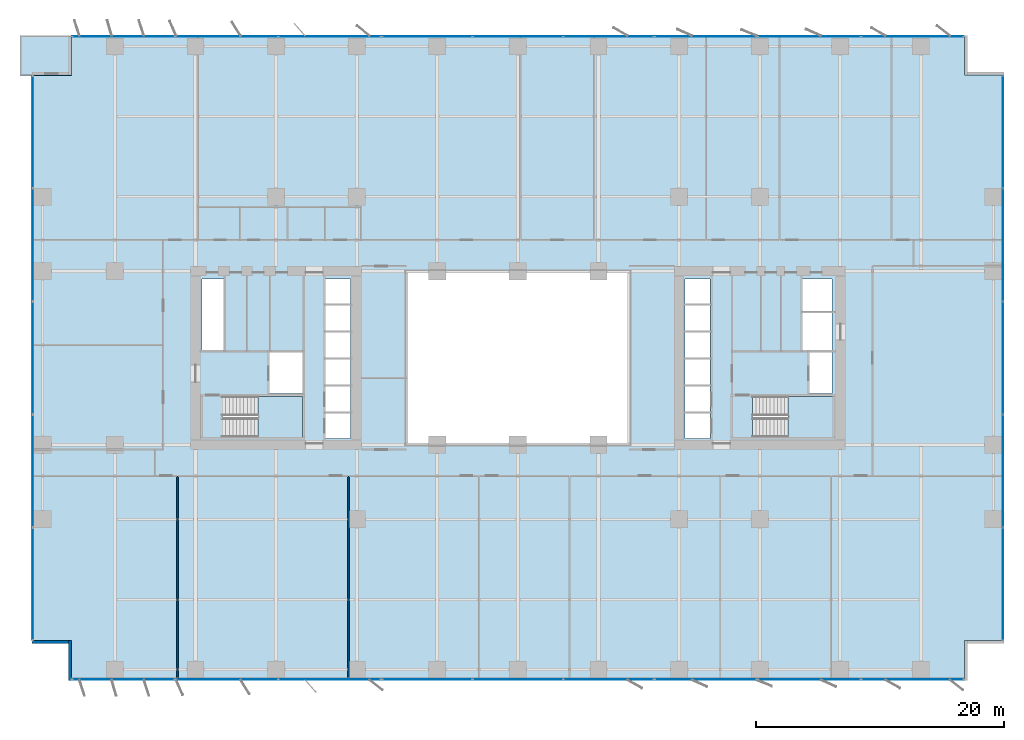
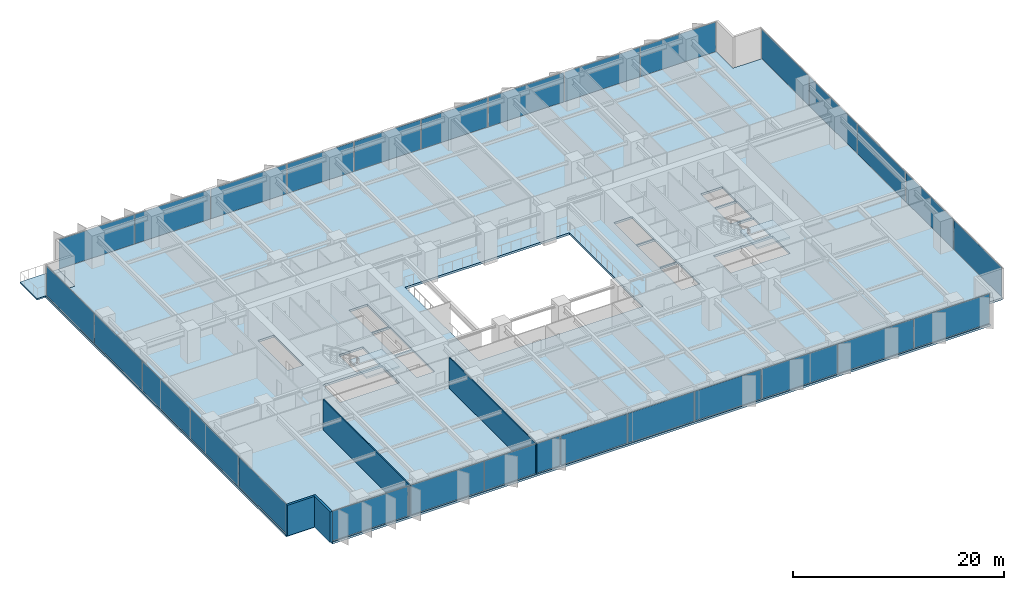
# One storey, part 12 of 20: 28 plates, 4 slabs, 4 walls, 10 elements without a shape of their own.
"""IFC4 building model written with IfcOpenShell, lengths in metres."""

from ifc_helpers import new_model, si_unit, direction, frame, frame_2d, origin, origin_2d, place, context, subcontext, project, spatial, polyline, rectangle, outline, extrude, material, layer, layer_set, type_object, element, aggregate, save


model = new_model("IFC4")

# Units and contexts
model_context = context("Model", 3, precision=1e-05, world=origin(), true_north=direction((0.0, 1.0)))
body_context = subcontext(model_context, "Body", "Model", "MODEL_VIEW")
ifc_project = project(units=[si_unit("LENGTHUNIT", "METRE"), si_unit("AREAUNIT", "SQUARE_METRE"), si_unit("VOLUMEUNIT", "CUBIC_METRE"), si_unit("PLANEANGLEUNIT", "RADIAN"), si_unit("MASSUNIT", "GRAM", prefix="KILO")], contexts=[model_context])

# Site, building, storey
site_placement = place(None, origin())
site = spatial("IfcSite", under=ifc_project, at=site_placement, CompositionType="ELEMENT")
building_placement = place(site_placement, origin())
building = spatial("IfcBuilding", under=site, at=building_placement, Name="Putna Gate Headquarters", CompositionType="ELEMENT")
storey_placement = place(building_placement, frame((0.0, 0.0, 73.39990234375)))
storey = spatial("IfcBuildingStorey", under=building, at=storey_placement, Name="L17", CompositionType="ELEMENT", Elevation=73.39990234375)

# Stair, slab
ifc_material_1 = material(Name="Concrete C40/50", Category="concrete")
stair_type_1 = type_object("IfcStairType", Name="STAIR-ST1", PredefinedType="HALF_TURN_STAIR", material=ifc_material_1)
stair_1_placement = place(storey_placement, origin())
stair_1 = element("IfcStair", 1, at=stair_1_placement, inside=storey, type_object=stair_type_1, Name="L17 West Core Exit Stair ST1", PredefinedType="HALF_TURN_STAIR")
ifc_layer_1 = layer(ifc_material_1, 0.199951171875)
ifc_layer_set_1 = layer_set([ifc_layer_1], Name="Concrete C40/50")
slab_type_1 = type_object("IfcSlabType", Name="LANDING-ST1", PredefinedType="LANDING", material=ifc_layer_set_1)
slab_1_placement = place(storey_placement, frame((0.0, 0.0, 1.7001953125)))
slab_1 = element("IfcSlab", 2, at=slab_1_placement, type_object=slab_type_1, Name="ST1 landing 1", PredefinedType="LANDING", context=body_context, shape_type="SweptSolid", body=[
    extrude(outline(polyline([(18.050048828125, 19.60009765625), (21.64990234375, 19.60009765625), (21.64990234375, 22.89990234375), (18.050048828125, 22.89990234375), (18.050048828125, 19.60009765625)])), origin(), (0.0, 0.0, 1.0), 0.199951171875),
])
aggregate(stair_1, [slab_1])

stair_type_2 = type_object("IfcStairType", Name="STAIR-ST2", PredefinedType="HALF_TURN_STAIR", material=ifc_material_1)
stair_2_placement = place(storey_placement, origin())
stair_2 = element("IfcStair", 3, at=stair_2_placement, inside=storey, type_object=stair_type_2, Name="L17 East Core Exit Stair ST2", PredefinedType="HALF_TURN_STAIR")
ifc_layer_2 = layer(ifc_material_1, 0.199951171875)
ifc_layer_set_2 = layer_set([ifc_layer_2], Name="Concrete C40/50")
slab_type_2 = type_object("IfcSlabType", Name="LANDING-ST2", PredefinedType="LANDING", material=ifc_layer_set_2)
slab_2_placement = place(storey_placement, frame((0.0, 0.0, 1.7001953125)))
slab_2 = element("IfcSlab", 4, at=slab_2_placement, type_object=slab_type_2, Name="ST2 landing 1", PredefinedType="LANDING", context=body_context, shape_type="SweptSolid", body=[
    extrude(outline(polyline([(60.800048828125, 19.60009765625), (64.39990234375, 19.60009765625), (64.39990234375, 22.89990234375), (60.800048828125, 22.89990234375), (60.800048828125, 19.60009765625)])), origin(), (0.0, 0.0, 1.0), 0.199951171875),
])
aggregate(stair_2, [slab_2])

# Curtain wall, plates
ifc_material_2 = material(Name="Anodised bronze aluminium curtain wall", Category="aluminium")
ifc_layer_3 = layer(ifc_material_2, 0.179931640625)
ifc_layer_set_3 = layer_set([ifc_layer_3], Name="Anodised bronze aluminium curtain wall")
curtain_wall_type_1 = type_object("IfcCurtainWallType", Name="CW-SYS-Z1", PredefinedType="USERDEFINED", material=ifc_layer_set_3)
curtain_wall_1_placement = place(storey_placement, origin())
curtain_wall_1 = element("IfcCurtainWall", 5, at=curtain_wall_1_placement, inside=storey, type_object=curtain_wall_type_1, Name="L17 South West Curtain Wall", ObjectType="STICK CURTAIN WALL", PredefinedType="USERDEFINED")
ifc_material_3 = material(Name="Solar-control triple low-E glass", Category="glass")
ifc_layer_4 = layer(ifc_material_3, 0.031982421875)
ifc_layer_set_4 = layer_set([ifc_layer_4], Name="Solar-control triple low-E glass")
plate_type_1 = type_object("IfcPlateType", Name="PAN-CWP-1", PredefinedType="CURTAIN_PANEL", material=ifc_layer_set_4)
plate_1_placement = place(storey_placement, frame((7.18408203125, 0.080078125, 0.065185546875), z_axis=(0.0, 0.0, 1.0), x_axis=(1.0, 0.0, 0.0)))
plate_1 = element("IfcPlate", 6, at=plate_1_placement, type_object=plate_type_1, Name="CWS-1 panel 1.1", PredefinedType="CURTAIN_PANEL", context=body_context, shape_type="SweptSolid", body=[
    extrude(rectangle(XDim=8.228271484375, YDim=0.031982421875, at=origin_2d()), origin(), (0.0, 0.0, 1.0), 3.419921875),
])
plate_2_placement = place(storey_placement, frame((15.5, 0.080078125, 0.065185546875), z_axis=(0.0, 0.0, 1.0), x_axis=(1.0, 0.0, 0.0)))
plate_2 = element("IfcPlate", 7, at=plate_2_placement, type_object=plate_type_1, Name="CWS-1 panel 2.1", PredefinedType="CURTAIN_PANEL", context=body_context, shape_type="SweptSolid", body=[
    extrude(rectangle(XDim=8.263427734375, YDim=0.031982421875, at=origin_2d()), origin(), (0.0, 0.0, 1.0), 3.419921875),
])
plate_3_placement = place(storey_placement, frame((23.81591796875, 0.080078125, 0.065185546875), z_axis=(0.0, 0.0, 1.0), x_axis=(1.0, 0.0, 0.0)))
plate_3 = element("IfcPlate", 8, at=plate_3_placement, type_object=plate_type_1, Name="CWS-1 panel 3.1", PredefinedType="CURTAIN_PANEL", context=body_context, shape_type="SweptSolid", body=[
    extrude(rectangle(XDim=8.228271484375, YDim=0.031982421875, at=origin_2d()), origin(), (0.0, 0.0, 1.0), 3.419921875),
])
aggregate(curtain_wall_1, [plate_1, plate_2, plate_3])

curtain_wall_2_placement = place(storey_placement, origin())
curtain_wall_2 = element("IfcCurtainWall", 9, at=curtain_wall_2_placement, inside=storey, type_object=curtain_wall_type_1, Name="L17 South East Curtain Wall", ObjectType="STICK CURTAIN WALL", PredefinedType="USERDEFINED")
plate_4_placement = place(storey_placement, frame((54.18408203125, 0.080078125, 0.065185546875), z_axis=(0.0, 0.0, 1.0), x_axis=(1.0, 0.0, 0.0)))
plate_4 = element("IfcPlate", 10, at=plate_4_placement, type_object=plate_type_1, Name="CWS-1 panel 1.1", PredefinedType="CURTAIN_PANEL", context=body_context, shape_type="SweptSolid", body=[
    extrude(rectangle(XDim=8.228271484375, YDim=0.031982421875, at=origin_2d()), origin(), (0.0, 0.0, 1.0), 3.419921875),
])
plate_5_placement = place(storey_placement, frame((62.5, 0.080078125, 0.065185546875), z_axis=(0.0, 0.0, 1.0), x_axis=(1.0, 0.0, 0.0)))
plate_5 = element("IfcPlate", 11, at=plate_5_placement, type_object=plate_type_1, Name="CWS-1 panel 2.1", PredefinedType="CURTAIN_PANEL", context=body_context, shape_type="SweptSolid", body=[
    extrude(rectangle(XDim=8.263427734375, YDim=0.031982421875, at=origin_2d()), origin(), (0.0, 0.0, 1.0), 3.419921875),
])
plate_6_placement = place(storey_placement, frame((70.81591796875, 0.080078125, 0.065185546875), z_axis=(0.0, 0.0, 1.0), x_axis=(1.0, 0.0, 0.0)))
plate_6 = element("IfcPlate", 12, at=plate_6_placement, type_object=plate_type_1, Name="CWS-1 panel 3.1", PredefinedType="CURTAIN_PANEL", context=body_context, shape_type="SweptSolid", body=[
    extrude(rectangle(XDim=8.228271484375, YDim=0.031982421875, at=origin_2d()), origin(), (0.0, 0.0, 1.0), 3.419921875),
])
aggregate(curtain_wall_2, [plate_4, plate_5, plate_6])

curtain_wall_3_placement = place(storey_placement, origin())
curtain_wall_3 = element("IfcCurtainWall", 13, at=curtain_wall_3_placement, inside=storey, type_object=curtain_wall_type_1, Name="L17 North West Curtain Wall", ObjectType="STICK CURTAIN WALL", PredefinedType="USERDEFINED")
plate_7_placement = place(storey_placement, frame((7.18408203125, 51.919921875, 0.065185546875), z_axis=(0.0, 0.0, 1.0), x_axis=(1.0, 0.0, 0.0)))
plate_7 = element("IfcPlate", 14, at=plate_7_placement, type_object=plate_type_1, Name="CWS-1 panel 1.1", PredefinedType="CURTAIN_PANEL", context=body_context, shape_type="SweptSolid", body=[
    extrude(rectangle(XDim=8.228271484375, YDim=0.031982421875, at=origin_2d()), origin(), (0.0, 0.0, 1.0), 3.419921875),
])
plate_8_placement = place(storey_placement, frame((15.5, 51.919921875, 0.065185546875), z_axis=(0.0, 0.0, 1.0), x_axis=(1.0, 0.0, 0.0)))
plate_8 = element("IfcPlate", 15, at=plate_8_placement, type_object=plate_type_1, Name="CWS-1 panel 2.1", PredefinedType="CURTAIN_PANEL", context=body_context, shape_type="SweptSolid", body=[
    extrude(rectangle(XDim=8.263427734375, YDim=0.031982421875, at=origin_2d()), origin(), (0.0, 0.0, 1.0), 3.419921875),
])
plate_9_placement = place(storey_placement, frame((23.81591796875, 51.919921875, 0.065185546875), z_axis=(0.0, 0.0, 1.0), x_axis=(1.0, 0.0, 0.0)))
plate_9 = element("IfcPlate", 16, at=plate_9_placement, type_object=plate_type_1, Name="CWS-1 panel 3.1", PredefinedType="CURTAIN_PANEL", context=body_context, shape_type="SweptSolid", body=[
    extrude(rectangle(XDim=8.228271484375, YDim=0.031982421875, at=origin_2d()), origin(), (0.0, 0.0, 1.0), 3.419921875),
])
aggregate(curtain_wall_3, [plate_7, plate_8, plate_9])

curtain_wall_4_placement = place(storey_placement, origin())
curtain_wall_4 = element("IfcCurtainWall", 17, at=curtain_wall_4_placement, inside=storey, type_object=curtain_wall_type_1, Name="L17 North East Curtain Wall", ObjectType="STICK CURTAIN WALL", PredefinedType="USERDEFINED")
plate_10_placement = place(storey_placement, frame((54.18408203125, 51.919921875, 0.065185546875), z_axis=(0.0, 0.0, 1.0), x_axis=(1.0, 0.0, 0.0)))
plate_10 = element("IfcPlate", 18, at=plate_10_placement, type_object=plate_type_1, Name="CWS-1 panel 1.1", PredefinedType="CURTAIN_PANEL", context=body_context, shape_type="SweptSolid", body=[
    extrude(rectangle(XDim=8.228271484375, YDim=0.031982421875, at=origin_2d()), origin(), (0.0, 0.0, 1.0), 3.419921875),
])
plate_11_placement = place(storey_placement, frame((62.5, 51.919921875, 0.065185546875), z_axis=(0.0, 0.0, 1.0), x_axis=(1.0, 0.0, 0.0)))
plate_11 = element("IfcPlate", 19, at=plate_11_placement, type_object=plate_type_1, Name="CWS-1 panel 2.1", PredefinedType="CURTAIN_PANEL", context=body_context, shape_type="SweptSolid", body=[
    extrude(rectangle(XDim=8.263427734375, YDim=0.031982421875, at=origin_2d()), origin(), (0.0, 0.0, 1.0), 3.419921875),
])
plate_12_placement = place(storey_placement, frame((70.81591796875, 51.919921875, 0.065185546875), z_axis=(0.0, 0.0, 1.0), x_axis=(1.0, 0.0, 0.0)))
plate_12 = element("IfcPlate", 20, at=plate_12_placement, type_object=plate_type_1, Name="CWS-1 panel 3.1", PredefinedType="CURTAIN_PANEL", context=body_context, shape_type="SweptSolid", body=[
    extrude(rectangle(XDim=8.228271484375, YDim=0.031982421875, at=origin_2d()), origin(), (0.0, 0.0, 1.0), 3.419921875),
])
aggregate(curtain_wall_4, [plate_10, plate_11, plate_12])

curtain_wall_5_placement = place(storey_placement, origin())
curtain_wall_5 = element("IfcCurtainWall", 21, at=curtain_wall_5_placement, inside=storey, type_object=curtain_wall_type_1, Name="L17 West Curtain Wall", ObjectType="STICK CURTAIN WALL", PredefinedType="USERDEFINED")
plate_13_placement = place(storey_placement, frame((-0.1201171875, 7.777587890625, 0.065185546875), z_axis=(0.0, 0.0, 1.0), x_axis=(0.0, 1.0, 0.0)))
plate_13 = element("IfcPlate", 22, at=plate_13_placement, type_object=plate_type_1, Name="CWS-1 panel 1.1", PredefinedType="CURTAIN_PANEL", context=body_context, shape_type="SweptSolid", body=[
    extrude(rectangle(XDim=9.014892578125, YDim=0.031982421875, at=origin_2d()), origin(), (0.0, 0.0, 1.0), 3.419921875),
])
plate_14_placement = place(storey_placement, frame((-0.1201171875, 16.8798828125, 0.065185546875), z_axis=(0.0, 0.0, 1.0), x_axis=(0.0, 1.0, 0.0)))
plate_14 = element("IfcPlate", 23, at=plate_14_placement, type_object=plate_type_1, Name="CWS-1 panel 2.1", PredefinedType="CURTAIN_PANEL", context=body_context, shape_type="SweptSolid", body=[
    extrude(rectangle(XDim=9.050048828125, YDim=0.031982421875, at=origin_2d()), origin(), (0.0, 0.0, 1.0), 3.419921875),
])
plate_15_placement = place(storey_placement, frame((-0.1201171875, 26.0, 0.065185546875), z_axis=(0.0, 0.0, 1.0), x_axis=(0.0, 1.0, 0.0)))
plate_15 = element("IfcPlate", 24, at=plate_15_placement, type_object=plate_type_1, Name="CWS-1 panel 3.1", PredefinedType="CURTAIN_PANEL", context=body_context, shape_type="SweptSolid", body=[
    extrude(rectangle(XDim=9.050048828125, YDim=0.031982421875, at=origin_2d()), origin(), (0.0, 0.0, 1.0), 3.419921875),
])
plate_16_placement = place(storey_placement, frame((-0.1201171875, 35.1201171875, 0.065185546875), z_axis=(0.0, 0.0, 1.0), x_axis=(0.0, 1.0, 0.0)))
plate_16 = element("IfcPlate", 25, at=plate_16_placement, type_object=plate_type_1, Name="CWS-1 panel 4.1", PredefinedType="CURTAIN_PANEL", context=body_context, shape_type="SweptSolid", body=[
    extrude(rectangle(XDim=9.050048828125, YDim=0.031982421875, at=origin_2d()), origin(), (0.0, 0.0, 1.0), 3.419921875),
])
plate_17_placement = place(storey_placement, frame((-0.1201171875, 44.222412109375, 0.065185546875), z_axis=(0.0, 0.0, 1.0), x_axis=(0.0, 1.0, 0.0)))
plate_17 = element("IfcPlate", 26, at=plate_17_placement, type_object=plate_type_1, Name="CWS-1 panel 5.1", PredefinedType="CURTAIN_PANEL", context=body_context, shape_type="SweptSolid", body=[
    extrude(rectangle(XDim=9.014892578125, YDim=0.031982421875, at=origin_2d()), origin(), (0.0, 0.0, 1.0), 3.419921875),
])
aggregate(curtain_wall_5, [plate_13, plate_14, plate_15, plate_16, plate_17])

curtain_wall_6_placement = place(storey_placement, origin())
curtain_wall_6 = element("IfcCurtainWall", 27, at=curtain_wall_6_placement, inside=storey, type_object=curtain_wall_type_1, Name="L17 East Curtain Wall", ObjectType="STICK CURTAIN WALL", PredefinedType="USERDEFINED")
plate_18_placement = place(storey_placement, frame((78.1201171875, 7.777587890625, 0.065185546875), z_axis=(0.0, 0.0, 1.0), x_axis=(0.0, 1.0, 0.0)))
plate_18 = element("IfcPlate", 28, at=plate_18_placement, type_object=plate_type_1, Name="CWS-1 panel 1.1", PredefinedType="CURTAIN_PANEL", context=body_context, shape_type="SweptSolid", body=[
    extrude(rectangle(XDim=9.014892578125, YDim=0.031982421875, at=origin_2d()), origin(), (0.0, 0.0, 1.0), 3.419921875),
])
plate_19_placement = place(storey_placement, frame((78.1201171875, 16.8798828125, 0.065185546875), z_axis=(0.0, 0.0, 1.0), x_axis=(0.0, 1.0, 0.0)))
plate_19 = element("IfcPlate", 29, at=plate_19_placement, type_object=plate_type_1, Name="CWS-1 panel 2.1", PredefinedType="CURTAIN_PANEL", context=body_context, shape_type="SweptSolid", body=[
    extrude(rectangle(XDim=9.050048828125, YDim=0.031982421875, at=origin_2d()), origin(), (0.0, 0.0, 1.0), 3.419921875),
])
plate_20_placement = place(storey_placement, frame((78.1201171875, 26.0, 0.065185546875), z_axis=(0.0, 0.0, 1.0), x_axis=(0.0, 1.0, 0.0)))
plate_20 = element("IfcPlate", 30, at=plate_20_placement, type_object=plate_type_1, Name="CWS-1 panel 3.1", PredefinedType="CURTAIN_PANEL", context=body_context, shape_type="SweptSolid", body=[
    extrude(rectangle(XDim=9.050048828125, YDim=0.031982421875, at=origin_2d()), origin(), (0.0, 0.0, 1.0), 3.419921875),
])
plate_21_placement = place(storey_placement, frame((78.1201171875, 35.1201171875, 0.065185546875), z_axis=(0.0, 0.0, 1.0), x_axis=(0.0, 1.0, 0.0)))
plate_21 = element("IfcPlate", 31, at=plate_21_placement, type_object=plate_type_1, Name="CWS-1 panel 4.1", PredefinedType="CURTAIN_PANEL", context=body_context, shape_type="SweptSolid", body=[
    extrude(rectangle(XDim=9.050048828125, YDim=0.031982421875, at=origin_2d()), origin(), (0.0, 0.0, 1.0), 3.419921875),
])
plate_22_placement = place(storey_placement, frame((78.1201171875, 44.222412109375, 0.065185546875), z_axis=(0.0, 0.0, 1.0), x_axis=(0.0, 1.0, 0.0)))
plate_22 = element("IfcPlate", 32, at=plate_22_placement, type_object=plate_type_1, Name="CWS-1 panel 5.1", PredefinedType="CURTAIN_PANEL", context=body_context, shape_type="SweptSolid", body=[
    extrude(rectangle(XDim=9.014892578125, YDim=0.031982421875, at=origin_2d()), origin(), (0.0, 0.0, 1.0), 3.419921875),
])
aggregate(curtain_wall_6, [plate_18, plate_19, plate_20, plate_21, plate_22])

ifc_layer_5 = layer(ifc_material_2, 0.179931640625)
ifc_layer_set_5 = layer_set([ifc_layer_5], Name="Anodised bronze aluminium curtain wall")
curtain_wall_type_2 = type_object("IfcCurtainWallType", Name="CW-SYS-ATR", PredefinedType="USERDEFINED", material=ifc_layer_set_5)
curtain_wall_7_placement = place(storey_placement, origin())
curtain_wall_7 = element("IfcCurtainWall", 33, at=curtain_wall_7_placement, inside=storey, type_object=curtain_wall_type_2, Name="L17 South Atrium Clear Glazing", ObjectType="ATRIUM GLAZING", PredefinedType="USERDEFINED")
ifc_material_4 = material(Name="Clear low-iron triple glazing", Category="glass")
ifc_layer_6 = layer(ifc_material_4, 0.0400390625)
ifc_layer_set_6 = layer_set([ifc_layer_6], Name="Clear low-iron triple glazing")
plate_type_2 = type_object("IfcPlateType", Name="PAN-CWP-AT", PredefinedType="CURTAIN_PANEL", material=ifc_layer_set_6)
plate_23_placement = place(storey_placement, frame((31.68408203125, 0.080078125, 0.0703125), z_axis=(0.0, 0.0, 1.0), x_axis=(1.0, 0.0, 0.0)))
plate_23 = element("IfcPlate", 34, at=plate_23_placement, type_object=plate_type_2, Name="CWS-AT panel 1.1", PredefinedType="CURTAIN_PANEL", context=body_context, shape_type="SweptSolid", body=[
    extrude(rectangle(XDim=7.228271484375, YDim=0.0400390625, at=origin_2d()), origin(), (0.0, 0.0, 1.0), 3.409912109375),
])
plate_24_placement = place(storey_placement, frame((39.0, 0.080078125, 0.0703125), z_axis=(0.0, 0.0, 1.0), x_axis=(1.0, 0.0, 0.0)))
plate_24 = element("IfcPlate", 35, at=plate_24_placement, type_object=plate_type_2, Name="CWS-AT panel 2.1", PredefinedType="CURTAIN_PANEL", context=body_context, shape_type="SweptSolid", body=[
    extrude(rectangle(XDim=7.263427734375, YDim=0.0400390625, at=origin_2d()), origin(), (0.0, 0.0, 1.0), 3.409912109375),
])
plate_25_placement = place(storey_placement, frame((46.31591796875, 0.080078125, 0.0703125), z_axis=(0.0, 0.0, 1.0), x_axis=(1.0, 0.0, 0.0)))
plate_25 = element("IfcPlate", 36, at=plate_25_placement, type_object=plate_type_2, Name="CWS-AT panel 3.1", PredefinedType="CURTAIN_PANEL", context=body_context, shape_type="SweptSolid", body=[
    extrude(rectangle(XDim=7.228271484375, YDim=0.0400390625, at=origin_2d()), origin(), (0.0, 0.0, 1.0), 3.409912109375),
])
aggregate(curtain_wall_7, [plate_23, plate_24, plate_25])

curtain_wall_8_placement = place(storey_placement, origin())
curtain_wall_8 = element("IfcCurtainWall", 37, at=curtain_wall_8_placement, inside=storey, type_object=curtain_wall_type_2, Name="L17 North Atrium Clear Glazing", ObjectType="ATRIUM GLAZING", PredefinedType="USERDEFINED")
plate_26_placement = place(storey_placement, frame((31.68408203125, 51.919921875, 0.0703125), z_axis=(0.0, 0.0, 1.0), x_axis=(1.0, 0.0, 0.0)))
plate_26 = element("IfcPlate", 38, at=plate_26_placement, type_object=plate_type_2, Name="CWS-AT panel 1.1", PredefinedType="CURTAIN_PANEL", context=body_context, shape_type="SweptSolid", body=[
    extrude(rectangle(XDim=7.228271484375, YDim=0.0400390625, at=origin_2d()), origin(), (0.0, 0.0, 1.0), 3.409912109375),
])
plate_27_placement = place(storey_placement, frame((39.0, 51.919921875, 0.0703125), z_axis=(0.0, 0.0, 1.0), x_axis=(1.0, 0.0, 0.0)))
plate_27 = element("IfcPlate", 39, at=plate_27_placement, type_object=plate_type_2, Name="CWS-AT panel 2.1", PredefinedType="CURTAIN_PANEL", context=body_context, shape_type="SweptSolid", body=[
    extrude(rectangle(XDim=7.263427734375, YDim=0.0400390625, at=origin_2d()), origin(), (0.0, 0.0, 1.0), 3.409912109375),
])
plate_28_placement = place(storey_placement, frame((46.31591796875, 51.919921875, 0.0703125), z_axis=(0.0, 0.0, 1.0), x_axis=(1.0, 0.0, 0.0)))
plate_28 = element("IfcPlate", 40, at=plate_28_placement, type_object=plate_type_2, Name="CWS-AT panel 3.1", PredefinedType="CURTAIN_PANEL", context=body_context, shape_type="SweptSolid", body=[
    extrude(rectangle(XDim=7.228271484375, YDim=0.0400390625, at=origin_2d()), origin(), (0.0, 0.0, 1.0), 3.409912109375),
])
aggregate(curtain_wall_8, [plate_26, plate_27, plate_28])

# Slabs
ifc_layer_7 = layer(ifc_material_1, 0.179931640625)
ifc_layer_set_7 = layer_set([ifc_layer_7], Name="Concrete C40/50")
slab_type_3 = type_object("IfcSlabType", Name="SLAB-TERRACE-180", PredefinedType="FLOOR", material=ifc_layer_set_7)
slab_3_placement = place(storey_placement, frame((0.0, 0.0, -0.179931640625)))
element("IfcSlab", 41, at=slab_3_placement, inside=storey, type_object=slab_type_3, Name="L17 Spiral Sky-Garden Terrace Slab (NW)", PredefinedType="FLOOR", context=body_context, shape_type="SweptSolid", body=[
    extrude(outline(polyline([(-1.14990234375, 48.7919921875), (3.008056640625, 48.7919921875), (3.008056640625, 52.0), (-1.14990234375, 52.0), (-1.14990234375, 48.7919921875)])), origin(), (0.0, 0.0, 1.0), 0.179931640625),
])
ifc_layer_8 = layer(ifc_material_1, 0.25)
ifc_layer_set_8 = layer_set([ifc_layer_8], Name="Concrete C40/50")
slab_type_4 = type_object("IfcSlabType", Name="SLAB-Z1-250", PredefinedType="FLOOR", material=ifc_layer_set_8)
slab_4_placement = place(storey_placement, frame((0.0, 0.0, -0.25)))
element("IfcSlab", 42, at=slab_4_placement, inside=storey, type_object=slab_type_4, Name="L17 Composite Floor Slab", PredefinedType="FLOOR", context=body_context, shape_type="SweptSolid", body=[
    extrude(outline(polyline([(3.0, 0.0), (75.0, 0.0), (75.0, 3.199951171875), (78.199951171875, 3.199951171875), (78.199951171875, 48.800048828125), (75.0, 48.800048828125), (75.0, 52.0), (3.0, 52.0), (3.0, 48.800048828125), (-0.199951171875, 48.800048828125), (-0.199951171875, 3.199951171875), (3.0, 3.199951171875), (3.0, 0.0)]), holes=[polyline([(15.1650390625, 19.60009765625), (21.64990234375, 19.60009765625), (21.64990234375, 22.89990234375), (15.1650390625, 22.89990234375), (15.1650390625, 19.60009765625)]), polyline([(57.9150390625, 19.60009765625), (64.39990234375, 19.60009765625), (64.39990234375, 22.89990234375), (57.9150390625, 22.89990234375), (57.9150390625, 19.60009765625)]), polyline([(13.52001953125, 26.659912109375), (15.280029296875, 26.659912109375), (15.280029296875, 32.35009765625), (13.52001953125, 32.35009765625), (13.52001953125, 26.659912109375)]), polyline([(61.969970703125, 29.780029296875), (64.35009765625, 29.780029296875), (64.35009765625, 32.35009765625), (61.969970703125, 32.35009765625), (61.969970703125, 29.780029296875)]), polyline([(18.97998046875, 23.1201171875), (21.6201171875, 23.1201171875), (21.6201171875, 26.4599609375), (18.97998046875, 26.4599609375), (18.97998046875, 23.1201171875)]), polyline([(62.52001953125, 23.1201171875), (64.35009765625, 23.1201171875), (64.35009765625, 26.4599609375), (62.52001953125, 26.4599609375), (62.52001953125, 23.1201171875)]), polyline([(61.969970703125, 26.659912109375), (64.35009765625, 26.659912109375), (64.35009765625, 29.6201171875), (61.969970703125, 29.6201171875), (61.969970703125, 26.659912109375)]), polyline([(23.5, 19.52001953125), (25.5, 19.52001953125), (25.5, 23.699951171875), (23.5, 23.699951171875), (23.5, 19.52001953125)]), polyline([(52.47998046875, 19.52001953125), (54.5, 19.52001953125), (54.5, 23.699951171875), (52.47998046875, 23.699951171875), (52.47998046875, 19.52001953125)]), polyline([(23.5, 23.860107421875), (25.5, 23.860107421875), (25.5, 28.0400390625), (23.5, 28.0400390625), (23.5, 23.860107421875)]), polyline([(52.47998046875, 23.860107421875), (54.5, 23.860107421875), (54.5, 28.0400390625), (52.47998046875, 28.0400390625), (52.47998046875, 23.860107421875)]), polyline([(23.5, 28.199951171875), (25.5, 28.199951171875), (25.5, 32.35009765625), (23.5, 32.35009765625), (23.5, 28.199951171875)]), polyline([(52.47998046875, 28.199951171875), (54.5, 28.199951171875), (54.5, 32.35009765625), (52.47998046875, 32.35009765625), (52.47998046875, 28.199951171875)]), polyline([(30.0, 19.0), (48.0, 19.0), (48.0, 33.0), (30.0, 33.0), (30.0, 19.0)])]), origin(), (0.0, 0.0, 1.0), 0.25),
])

# Walls
ifc_material_5 = material(Name="Precast concrete C40/50", Category="concrete")
ifc_layer_9 = layer(ifc_material_5, 0.239990234375)
ifc_layer_set_9 = layer_set([ifc_layer_9], Name="Precast concrete C40/50")
wall_type_1 = type_object("IfcWallType", Name="WALL-EXT-TERR-240", PredefinedType="STANDARD", material=ifc_layer_set_9)
for number, where, z_axis, x_axis, name in (
    (43, (2.8798828125, 0.0, 0.0), (0.0, 0.0, 1.0), (0.0, 1.0, 0.0), "L17 Corner Notch Return Wall SW-V"),
    (44, (3.0, 3.080078125, 0.0), (0.0, 0.0, 1.0), (-1.0, 0.0, 0.0), "L17 Corner Notch Return Wall SW-H"),
):
    element("IfcWall", number, at=place(storey_placement, frame(where, z_axis=z_axis, x_axis=x_axis)), inside=storey, type_object=wall_type_1, Name=name, PredefinedType="STANDARD", context=body_context, shape_type="SweptSolid", body=[
        extrude(rectangle(XDim=3.199951171875, YDim=0.239990234375, at=frame_2d((1.60009765625, 0.0))), origin(), (0.0, 0.0, 1.0), 3.550048828125),
    ])
ifc_material_6 = material(Name="Acoustic gypsum board on metal stud")
ifc_layer_10 = layer(ifc_material_6, 0.1201171875)
ifc_layer_set_10 = layer_set([ifc_layer_10], Name="Acoustic gypsum board on metal stud")
wall_type_2 = type_object("IfcWallType", Name="WALL-PART-120", PredefinedType="PARTITIONING", material=ifc_layer_set_10)
for number, where, z_axis, x_axis, name in (
    (45, (11.54541015625, 0.02001953125, 0.0), (0.0, 0.0, 1.0), (0.0, 1.0, 0.0), "L17 Interior Wall PART-L17-SB-DIV-01"),
    (46, (25.335205078125, 0.02001953125, 0.0), (0.0, 0.0, 1.0), (0.0, 1.0, 0.0), "L17 Interior Wall PART-L17-SB-DIV-02"),
):
    element("IfcWall", number, at=place(storey_placement, frame(where, z_axis=z_axis, x_axis=x_axis)), inside=storey, type_object=wall_type_2, Name=name, PredefinedType="PARTITIONING", context=body_context, shape_type="SweptSolid", body=[
        extrude(rectangle(XDim=16.419921875, YDim=0.1201171875, at=frame_2d((8.2099609375, 0.0))), origin(), (0.0, 0.0, 1.0), 3.550048828125),
    ])

save(model, "model.ifc")
